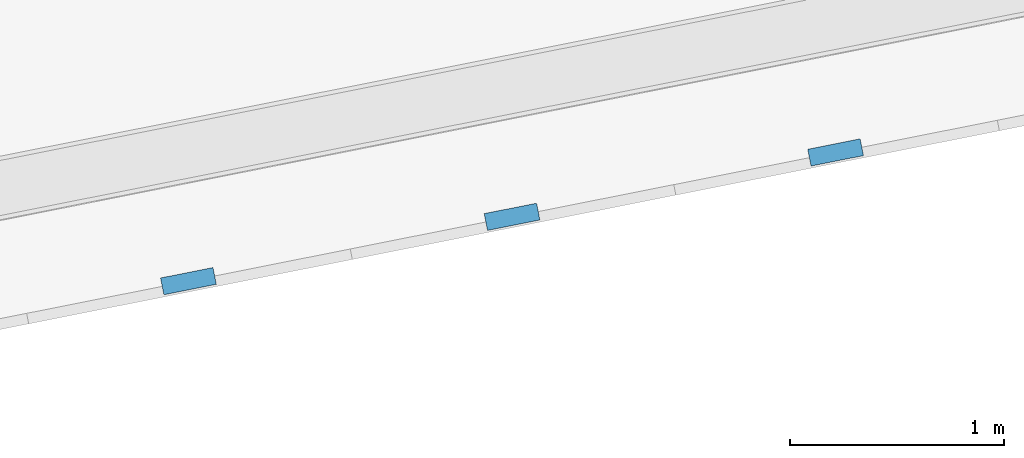
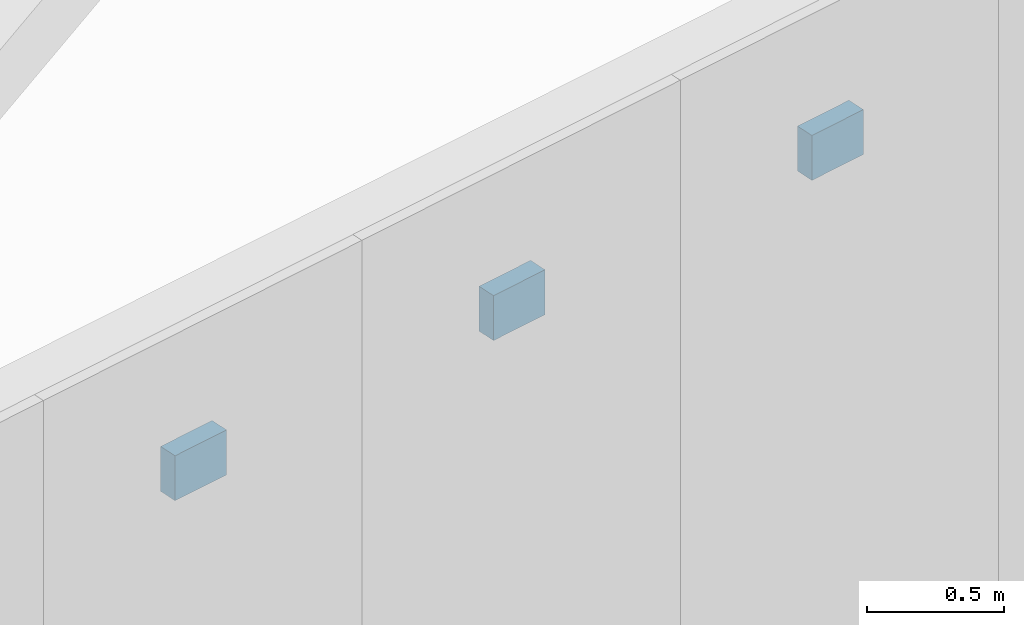
# One storey, part 145 of 278: 3 discrete accessories.
"""IFC4 building model written with IfcOpenShell, lengths in metres."""

from ifc_helpers import new_model, si_unit, direction, frame, origin, origin_2d, place, context, subcontext, project, spatial, rectangle, extrude, material, layer, layer_set, type_object, element, save


model = new_model("IFC4")

# Units and contexts
model_context = context("Model", 3, precision=1e-05, world=origin(), true_north=direction((0.0, 1.0)))
body_context = subcontext(model_context, "Body", "Model", "MODEL_VIEW")
ifc_project = project(units=[si_unit("LENGTHUNIT", "METRE"), si_unit("AREAUNIT", "SQUARE_METRE"), si_unit("VOLUMEUNIT", "CUBIC_METRE"), si_unit("PLANEANGLEUNIT", "RADIAN"), si_unit("MASSUNIT", "GRAM", prefix="KILO")], contexts=[model_context])

# Site, building, storey
site_placement = place(None, origin())
site = spatial("IfcSite", under=ifc_project, at=site_placement, CompositionType="ELEMENT")
building_placement = place(site_placement, origin())
building = spatial("IfcBuilding", under=site, at=building_placement, Name="Ogive Plaza Stadium", CompositionType="ELEMENT")
storey_placement = place(building_placement, frame((0.0, 0.0, 29.0)))
storey = spatial("IfcBuildingStorey", under=building, at=storey_placement, Name="Roof", CompositionType="ELEMENT", Elevation=29.0)

# Discrete accessories
ifc_material = material(Name="Steel ASTM A572 Grade 50", Category="steel")
ifc_layer = layer(ifc_material, 0.080078125)
ifc_layer_set = layer_set([ifc_layer], Name="Steel ASTM A572 Grade 50")
discrete_accessory_type = type_object("IfcDiscreteAccessoryType", Name="Tracery screen bracket 250x200", PredefinedType="BRACKET", material=ifc_layer_set)
for number, where, z_axis, x_axis, name in (
    (1, (42.927001953125, -101.33544921875, 5.25), (0.0, 0.0, 1.0), (-0.980785280403, -0.195090322016, 0.0), "TRACERY SCREEN BRACKET B11 7"),
    (2, (41.4130859375, -101.63671875, 5.25), (0.0, 0.0, 1.0), (-0.980785280403, -0.195090322016, 0.0), "TRACERY SCREEN BRACKET B11 8"),
    (3, (39.89892578125, -101.937744140625, 5.25), (0.0, 0.0, 1.0), (-0.980785280403, -0.195090322016, 0.0), "TRACERY SCREEN BRACKET B11 9"),
):
    element("IfcDiscreteAccessory", number, at=place(storey_placement, frame(where, z_axis=z_axis, x_axis=x_axis)), inside=storey, type_object=discrete_accessory_type, Name=name, PredefinedType="BRACKET", context=body_context, shape_type="SweptSolid", body=[
        extrude(rectangle(XDim=0.25, YDim=0.080078125, at=origin_2d()), origin(), (0.0, 0.0, 1.0), 0.199951171875),
    ])

save(model, "model.ifc")
